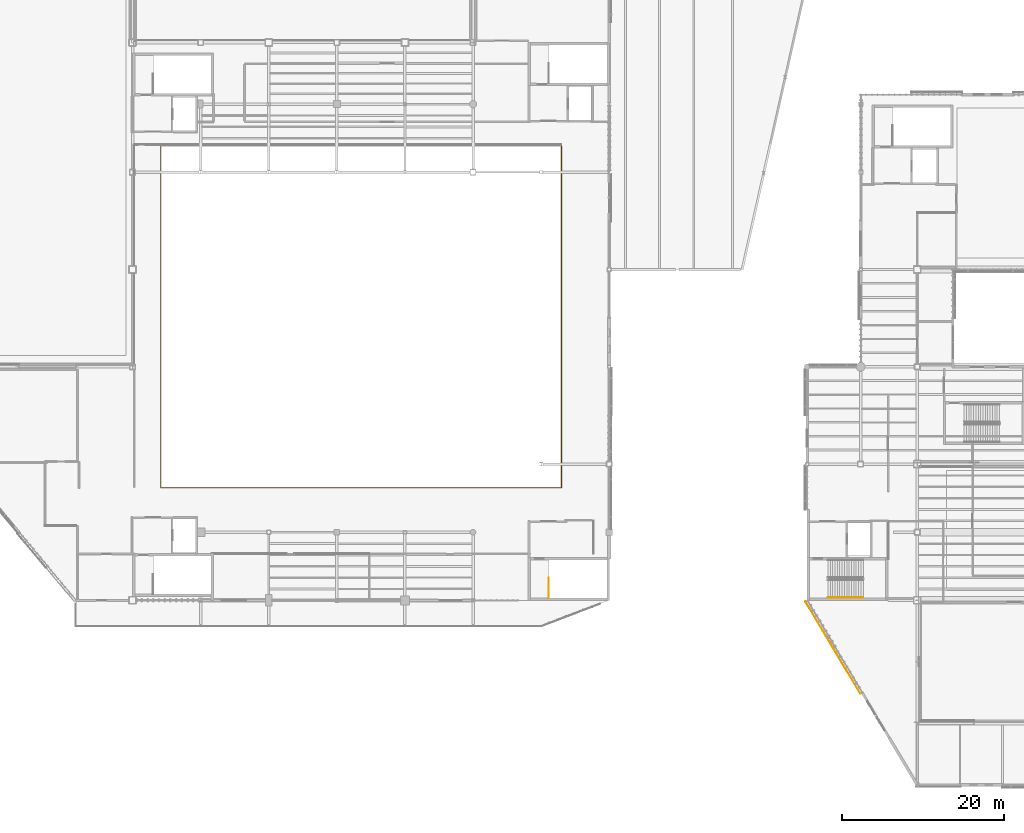
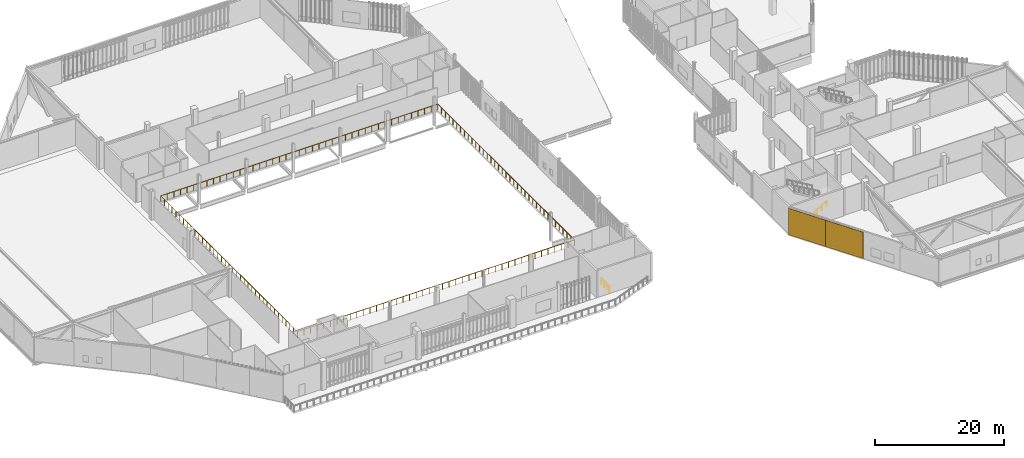
# One storey, part 130 of 135: 3 railings, 2 shading devices.
"""IFC4 building model written with IfcOpenShell, lengths in metres."""

import ifcopenshell
import ifcopenshell.guid

model = None  # the IFC model being written
_history = None  # IfcOwnerHistory: only IFC2X3 demands one
_inside = {}  # id of a spatial element -> (the spatial element, [elements in it])
_under = {}  # id of a project, library or spatial element -> (it, [spatial elements below it])
_declared = {}  # id of a project -> (the project, [libraries it declares])
_typed = {}  # id of a type object -> (the type object, [elements of that type])
_made_of = {}  # id of a material, layer set ... -> (it, [elements and type objects made of it])


def new_model(schema):
    """Start an empty IFC model of exactly this schema.

    Asked for "IFC4X3", IfcOpenShell would pick the latest addendum, in which some entities
    have other attributes; the version numbers below select the first issue.
    IFC2X3 requires an IfcOwnerHistory on every rooted entity: one is made here for all.
    """
    global model, _history
    if schema == "IFC4X3":
        model = ifcopenshell.file(schema_version=(4, 3, 0, 0))
    else:
        model = ifcopenshell.file(schema=schema)
    _inside.clear()
    _under.clear()
    _declared.clear()
    _typed.clear()
    _made_of.clear()
    _history = None
    if model.schema == "IFC2X3":
        org = make("IfcOrganization", Name="unknown")
        user = make(
            "IfcPersonAndOrganization",
            ThePerson=make("IfcPerson", FamilyName="unknown"),
            TheOrganization=org,
        )
        app = make(
            "IfcApplication",
            ApplicationDeveloper=org,
            Version="unknown",
            ApplicationFullName="unknown",
            ApplicationIdentifier="unknown",
        )
        _history = make(
            "IfcOwnerHistory",
            OwningUser=user,
            OwningApplication=app,
            ChangeAction="ADDED",
            CreationDate=0,
        )
    return model


def make(cls, **values):
    """One entity of the class cls with the attributes given. An attribute that is None is left unset."""
    return model.create_entity(
        cls, **{name: value for name, value in values.items() if value is not None}
    )


def rooted(cls, **values):
    """An entity with a GlobalId (a new one), such as an element, a storey or a relation."""
    return make(cls, GlobalId=ifcopenshell.guid.new(), OwnerHistory=_history, **values)


def si_unit(unit_type, name, prefix=None):
    """IfcSIUnit, for example si_unit("LENGTHUNIT", "METRE", prefix="MILLI")."""
    return make("IfcSIUnit", UnitType=unit_type, Prefix=prefix, Name=name)


def assignment(units):
    """IfcUnitAssignment: the units of a project."""
    return None if units is None else make("IfcUnitAssignment", Units=units)


def point(xyz):
    """IfcCartesianPoint."""
    return None if xyz is None else make("IfcCartesianPoint", Coordinates=xyz)


def direction(xyz):
    """IfcDirection."""
    return None if xyz is None else make("IfcDirection", DirectionRatios=xyz)


def frame(location, z_axis=None, x_axis=None):
    """IfcAxis2Placement3D, a coordinate frame: its origin and axes. An axis left out is left unset."""
    return make(
        "IfcAxis2Placement3D",
        Location=point(location),
        Axis=direction(z_axis),
        RefDirection=direction(x_axis),
    )


def frame_2d(location, x_axis=None):
    """IfcAxis2Placement2D, a coordinate frame in the plane: its origin and x axis."""
    return make(
        "IfcAxis2Placement2D", Location=point(location), RefDirection=direction(x_axis)
    )


def origin():
    """The frame at (0, 0, 0) with its axes left unset."""
    return frame((0.0, 0.0, 0.0))


def origin_2d():
    """The frame at (0, 0) in the plane with its x axis left unset."""
    return frame_2d((0.0, 0.0))


def place(relative_to, where):
    """IfcLocalPlacement: puts the frame where relative to a parent placement (None: the world)."""
    return make(
        "IfcLocalPlacement", PlacementRelTo=relative_to, RelativePlacement=where
    )


def context(
    kind, dimensions, precision=None, world=None, true_north=None, identifier=None
):
    """IfcGeometricRepresentationContext, for example the 3D "Model" context."""
    return make(
        "IfcGeometricRepresentationContext",
        ContextIdentifier=identifier,
        ContextType=kind,
        CoordinateSpaceDimension=dimensions,
        Precision=precision,
        WorldCoordinateSystem=world,
        TrueNorth=true_north,
    )


def subcontext(parent, identifier, kind, view, scale=None):
    """IfcGeometricRepresentationSubContext, for example "Body" below "Model"."""
    return make(
        "IfcGeometricRepresentationSubContext",
        ContextIdentifier=identifier,
        ContextType=kind,
        ParentContext=parent,
        TargetScale=scale,
        TargetView=view,
    )


def project(units=None, contexts=None):
    """IfcProject with its units and contexts."""
    return rooted(
        "IfcProject",
        Name="project",
        RepresentationContexts=contexts,
        UnitsInContext=assignment(units),
    )


def spatial(cls, under=None, at=None, **own):
    """A site, building, storey or space (cls), placed at a placement, below another one or the project."""
    s = rooted(cls, ObjectPlacement=at, **own)
    if under is not None:
        _under.setdefault(under.id(), (under, []))[1].append(s)
    return s


def profile(cls, at=None, kind="AREA", **sizes):
    """A parametric profile (cls). Its sizes go by their IFC names, for example OverallWidth=200.0."""
    return make(cls, ProfileType=kind, Position=at, **sizes)


def rectangle(**sizes):
    """IfcRectangleProfileDef."""
    return profile("IfcRectangleProfileDef", **sizes)


def circle(**sizes):
    """IfcCircleProfileDef."""
    return profile("IfcCircleProfileDef", **sizes)


def extrude(swept, where, along, depth):
    """IfcExtrudedAreaSolid: the profile swept, set in the frame where, extruded along a direction by depth."""
    return make(
        "IfcExtrudedAreaSolid",
        SweptArea=swept,
        Position=where,
        ExtrudedDirection=direction(along),
        Depth=depth,
    )


def shape(context_of_items, identifier, shape_type, items):
    """IfcShapeRepresentation: the items that make up one representation, for example the "Body"."""
    return make(
        "IfcShapeRepresentation",
        ContextOfItems=context_of_items,
        RepresentationIdentifier=identifier,
        RepresentationType=shape_type,
        Items=items,
    )


def material(Name=None, Category=None):
    """IfcMaterial."""
    return make("IfcMaterial", Name=Name, Category=Category)


def layer(
    of_material, thickness, ventilated=None, Name=None, Category=None, Priority=None
):
    """IfcMaterialLayer: one layer of a wall or slab, of a material (None: an air gap)."""
    return make(
        "IfcMaterialLayer",
        Material=of_material,
        LayerThickness=thickness,
        IsVentilated=ventilated,
        Name=Name,
        Category=Category,
        Priority=Priority,
    )


def layer_set(layers, Name=None):
    """IfcMaterialLayerSet."""
    return make("IfcMaterialLayerSet", MaterialLayers=layers, LayerSetName=Name)


def made_of(thing, what):
    """Note that an element or type object is made of a material, layer set ...; save() writes the relation."""
    if what is not None:
        _made_of.setdefault(what.id(), (what, []))[1].append(thing)
    return thing


def type_object(cls, material=None, **own):
    """A type object (cls), such as IfcWallType, which elements share."""
    return made_of(rooted(cls, **own), material)


def element(
    cls,
    number,
    at=None,
    inside=None,
    cuts=None,
    type_object=None,
    material=None,
    context=None,
    identifier="Body",
    shape_type=None,
    held_by="IfcProductDefinitionShape",
    body=None,
    shapes=None,
    **own,
):
    """One element of the class cls, such as IfcWall. Its Tag is "e" and its number.

    at: its placement. inside: the storey or other place that contains it. cuts: it is an
    opening in that element (IfcRelVoidsElement). A single representation is given by context,
    identifier, shape_type and body (its items); several are given by shapes. held_by: the class
    of the entity that holds the representations. save() writes the other relations.
    """
    e = rooted(cls, Tag="e%d" % number, ObjectPlacement=at, **own)
    if body is not None:
        shapes = [shape(context, identifier, shape_type, body)]
    if shapes is not None:
        e.Representation = make(held_by, Representations=shapes)
    if inside is not None:
        _inside.setdefault(inside.id(), (inside, []))[1].append(e)
    if cuts is not None:
        rooted(
            "IfcRelVoidsElement", RelatingBuildingElement=cuts, RelatedOpeningElement=e
        )
    if type_object is not None:
        _typed.setdefault(type_object.id(), (type_object, []))[1].append(e)
    return made_of(e, material)


def aggregate(whole, parts):
    """IfcRelAggregates: a whole, such as a stair, and the parts it consists of."""
    return rooted("IfcRelAggregates", RelatingObject=whole, RelatedObjects=parts)


def save(model, path):
    """Write the relations noted so far, then the file.

    IfcRelAggregates (storeys below a building ...), IfcRelContainedInSpatialStructure (elements
    in a storey), IfcRelDefinesByType, IfcRelAssociatesMaterial and IfcRelDeclares: one each for
    every whole, place, type object, material and project.
    """
    for whole, parts in _under.values():
        aggregate(whole, parts)
    for where, things in _inside.values():
        rooted(
            "IfcRelContainedInSpatialStructure",
            RelatedElements=things,
            RelatingStructure=where,
        )
    for kind, things in _typed.values():
        rooted("IfcRelDefinesByType", RelatedObjects=things, RelatingType=kind)
    for what, things in _made_of.values():
        rooted("IfcRelAssociatesMaterial", RelatedObjects=things, RelatingMaterial=what)
    for by, libraries in _declared.values():
        rooted("IfcRelDeclares", RelatingContext=by, RelatedDefinitions=libraries)
    model.write(path)


model = new_model("IFC4")

# Units and contexts
model_context = context("Model", 3, precision=1e-05, world=origin(), true_north=direction((0.0, 1.0)))
body_context = subcontext(model_context, "Body", "Model", "MODEL_VIEW")
ifc_project = project(units=[si_unit("LENGTHUNIT", "METRE"), si_unit("AREAUNIT", "SQUARE_METRE"), si_unit("VOLUMEUNIT", "CUBIC_METRE"), si_unit("PLANEANGLEUNIT", "RADIAN"), si_unit("MASSUNIT", "GRAM", prefix="KILO")], contexts=[model_context])

# Site, building, storey
site_placement = place(None, origin())
site = spatial("IfcSite", under=ifc_project, at=site_placement, CompositionType="ELEMENT")
building_placement = place(site_placement, origin())
building = spatial("IfcBuilding", under=site, at=building_placement, Name="Larkvane Passage Sports Hall", CompositionType="ELEMENT")
storey_placement = place(building_placement, frame((0.0, 0.0, 16.800048828125)))
storey = spatial("IfcBuildingStorey", under=building, at=storey_placement, Name="L03", CompositionType="ELEMENT", Elevation=16.800048828125)

# Railings
ifc_material_1 = material(Name="Laminated toughened glass and stainless steel S355JR", Category="steel")
railing_type_1 = type_object("IfcRailingType", Name="RL-BALUST-1120", PredefinedType="BALUSTRADE", material=ifc_material_1)
railing_1_placement = place(storey_placement, frame((38.280029296875, 36.679931640625, 0.0)))
element("IfcRailing", 1, at=railing_1_placement, inside=storey, type_object=railing_type_1, Name="Atrium void balustrade L03-015", PredefinedType="BALUSTRADE", context=body_context, shape_type="SweptSolid", body=[
    extrude(circle(Radius=0.02392578125, at=origin_2d()), frame((0.001953125, 0.0, 1.09619140625), z_axis=(1.0, 0.0, 0.0), x_axis=(0.0, 1.0, 0.0)), (0.0, 0.0, 1.0), 49.43603515625),
    extrude(circle(Radius=0.02392578125, at=origin_2d()), frame((49.43994140625, 0.001953125, 1.09619140625), z_axis=(0.0, 1.0, 0.0), x_axis=(-1.0, 0.0, 0.0)), (0.0, 0.0, 1.0), 42.236083984375),
    extrude(circle(Radius=0.02392578125, at=origin_2d()), frame((49.43798828125, 42.239990234375, 1.09619140625), z_axis=(-1.0, 0.0, 0.0), x_axis=(0.0, -1.0, 0.0)), (0.0, 0.0, 1.0), 49.43603515625),
    extrude(circle(Radius=0.02392578125, at=origin_2d()), frame((0.0, 42.238037109375, 1.09619140625), z_axis=(0.0, -1.0, 0.0), x_axis=(1.0, 0.0, 0.0)), (0.0, 0.0, 1.0), 42.236083984375),
    extrude(circle(Radius=0.02099609375, at=origin_2d()), origin(), (0.0, 0.0, 1.0), 1.072021484375),
    extrude(circle(Radius=0.02099609375, at=origin_2d()), frame((1.17724609375, 0.0, 0.0)), (0.0, 0.0, 1.0), 1.072021484375),
    extrude(circle(Radius=0.02099609375, at=origin_2d()), frame((2.354248046875, 0.0, 0.0)), (0.0, 0.0, 1.0), 1.072021484375),
    extrude(circle(Radius=0.02099609375, at=origin_2d()), frame((3.531494140625, 0.0, 0.0)), (0.0, 0.0, 1.0), 1.072021484375),
    extrude(circle(Radius=0.02099609375, at=origin_2d()), frame((4.70849609375, 0.0, 0.0)), (0.0, 0.0, 1.0), 1.072021484375),
    extrude(circle(Radius=0.02099609375, at=origin_2d()), frame((5.8857421875, 0.0, 0.0)), (0.0, 0.0, 1.0), 1.072021484375),
    extrude(circle(Radius=0.02099609375, at=origin_2d()), frame((7.062744140625, 0.0, 0.0)), (0.0, 0.0, 1.0), 1.072021484375),
    extrude(circle(Radius=0.02099609375, at=origin_2d()), frame((8.239990234375, 0.0, 0.0)), (0.0, 0.0, 1.0), 1.072021484375),
    extrude(circle(Radius=0.02099609375, at=origin_2d()), frame((9.417236328125, 0.0, 0.0)), (0.0, 0.0, 1.0), 1.072021484375),
    extrude(circle(Radius=0.02099609375, at=origin_2d()), frame((10.59423828125, 0.0, 0.0)), (0.0, 0.0, 1.0), 1.072021484375),
    extrude(circle(Radius=0.02099609375, at=origin_2d()), frame((11.771484375, 0.0, 0.0)), (0.0, 0.0, 1.0), 1.072021484375),
    extrude(circle(Radius=0.02099609375, at=origin_2d()), frame((12.948486328125, 0.0, 0.0)), (0.0, 0.0, 1.0), 1.072021484375),
    extrude(circle(Radius=0.02099609375, at=origin_2d()), frame((14.125732421875, 0.0, 0.0)), (0.0, 0.0, 1.0), 1.072021484375),
    extrude(circle(Radius=0.02099609375, at=origin_2d()), frame((15.302734375, 0.0, 0.0)), (0.0, 0.0, 1.0), 1.072021484375),
    extrude(circle(Radius=0.02099609375, at=origin_2d()), frame((16.47998046875, 0.0, 0.0)), (0.0, 0.0, 1.0), 1.072021484375),
    extrude(circle(Radius=0.02099609375, at=origin_2d()), frame((17.6572265625, 0.0, 0.0)), (0.0, 0.0, 1.0), 1.072021484375),
    extrude(circle(Radius=0.02099609375, at=origin_2d()), frame((18.834228515625, 0.0, 0.0)), (0.0, 0.0, 1.0), 1.072021484375),
    extrude(circle(Radius=0.02099609375, at=origin_2d()), frame((20.011474609375, 0.0, 0.0)), (0.0, 0.0, 1.0), 1.072021484375),
    extrude(circle(Radius=0.02099609375, at=origin_2d()), frame((21.1884765625, 0.0, 0.0)), (0.0, 0.0, 1.0), 1.072021484375),
    extrude(circle(Radius=0.02099609375, at=origin_2d()), frame((22.36572265625, 0.0, 0.0)), (0.0, 0.0, 1.0), 1.072021484375),
    extrude(circle(Radius=0.02099609375, at=origin_2d()), frame((23.542724609375, 0.0, 0.0)), (0.0, 0.0, 1.0), 1.072021484375),
    extrude(circle(Radius=0.02099609375, at=origin_2d()), frame((24.719970703125, 0.0, 0.0)), (0.0, 0.0, 1.0), 1.072021484375),
    extrude(circle(Radius=0.02099609375, at=origin_2d()), frame((25.897216796875, 0.0, 0.0)), (0.0, 0.0, 1.0), 1.072021484375),
    extrude(circle(Radius=0.02099609375, at=origin_2d()), frame((27.07421875, 0.0, 0.0)), (0.0, 0.0, 1.0), 1.072021484375),
    extrude(circle(Radius=0.02099609375, at=origin_2d()), frame((28.25146484375, 0.0, 0.0)), (0.0, 0.0, 1.0), 1.072021484375),
    extrude(circle(Radius=0.02099609375, at=origin_2d()), frame((29.428466796875, 0.0, 0.0)), (0.0, 0.0, 1.0), 1.072021484375),
    extrude(circle(Radius=0.02099609375, at=origin_2d()), frame((30.605712890625, 0.0, 0.0)), (0.0, 0.0, 1.0), 1.072021484375),
    extrude(circle(Radius=0.02099609375, at=origin_2d()), frame((31.78271484375, 0.0, 0.0)), (0.0, 0.0, 1.0), 1.072021484375),
    extrude(circle(Radius=0.02099609375, at=origin_2d()), frame((32.9599609375, 0.0, 0.0)), (0.0, 0.0, 1.0), 1.072021484375),
    extrude(circle(Radius=0.02099609375, at=origin_2d()), frame((34.13720703125, 0.0, 0.0)), (0.0, 0.0, 1.0), 1.072021484375),
    extrude(circle(Radius=0.02099609375, at=origin_2d()), frame((35.314208984375, 0.0, 0.0)), (0.0, 0.0, 1.0), 1.072021484375),
    extrude(circle(Radius=0.02099609375, at=origin_2d()), frame((36.491455078125, 0.0, 0.0)), (0.0, 0.0, 1.0), 1.072021484375),
    extrude(circle(Radius=0.02099609375, at=origin_2d()), frame((37.66845703125, 0.0, 0.0)), (0.0, 0.0, 1.0), 1.072021484375),
    extrude(circle(Radius=0.02099609375, at=origin_2d()), frame((38.845703125, 0.0, 0.0)), (0.0, 0.0, 1.0), 1.072021484375),
    extrude(circle(Radius=0.02099609375, at=origin_2d()), frame((40.022705078125, 0.0, 0.0)), (0.0, 0.0, 1.0), 1.072021484375),
    extrude(circle(Radius=0.02099609375, at=origin_2d()), frame((41.199951171875, 0.0, 0.0)), (0.0, 0.0, 1.0), 1.072021484375),
    extrude(circle(Radius=0.02099609375, at=origin_2d()), frame((42.377197265625, 0.0, 0.0)), (0.0, 0.0, 1.0), 1.072021484375),
    extrude(circle(Radius=0.02099609375, at=origin_2d()), frame((43.55419921875, 0.0, 0.0)), (0.0, 0.0, 1.0), 1.072021484375),
    extrude(circle(Radius=0.02099609375, at=origin_2d()), frame((44.7314453125, 0.0, 0.0)), (0.0, 0.0, 1.0), 1.072021484375),
    extrude(circle(Radius=0.02099609375, at=origin_2d()), frame((45.908447265625, 0.0, 0.0)), (0.0, 0.0, 1.0), 1.072021484375),
    extrude(circle(Radius=0.02099609375, at=origin_2d()), frame((47.085693359375, 0.0, 0.0)), (0.0, 0.0, 1.0), 1.072021484375),
    extrude(circle(Radius=0.02099609375, at=origin_2d()), frame((48.2626953125, 0.0, 0.0)), (0.0, 0.0, 1.0), 1.072021484375),
    extrude(circle(Radius=0.02099609375, at=origin_2d()), frame((49.43994140625, 0.0, 0.0)), (0.0, 0.0, 1.0), 1.072021484375),
    extrude(circle(Radius=0.02099609375, at=origin_2d()), frame((49.43994140625, 1.17333984375, 0.0)), (0.0, 0.0, 1.0), 1.072021484375),
    extrude(circle(Radius=0.02099609375, at=origin_2d()), frame((49.43994140625, 2.3466796875, 0.0)), (0.0, 0.0, 1.0), 1.072021484375),
    extrude(circle(Radius=0.02099609375, at=origin_2d()), frame((49.43994140625, 3.52001953125, 0.0)), (0.0, 0.0, 1.0), 1.072021484375),
    extrude(circle(Radius=0.02099609375, at=origin_2d()), frame((49.43994140625, 4.693359375, 0.0)), (0.0, 0.0, 1.0), 1.072021484375),
    extrude(circle(Radius=0.02099609375, at=origin_2d()), frame((49.43994140625, 5.86669921875, 0.0)), (0.0, 0.0, 1.0), 1.072021484375),
    extrude(circle(Radius=0.02099609375, at=origin_2d()), frame((49.43994140625, 7.0400390625, 0.0)), (0.0, 0.0, 1.0), 1.072021484375),
    extrude(circle(Radius=0.02099609375, at=origin_2d()), frame((49.43994140625, 8.21337890625, 0.0)), (0.0, 0.0, 1.0), 1.072021484375),
    extrude(circle(Radius=0.02099609375, at=origin_2d()), frame((49.43994140625, 9.38671875, 0.0)), (0.0, 0.0, 1.0), 1.072021484375),
    extrude(circle(Radius=0.02099609375, at=origin_2d()), frame((49.43994140625, 10.56005859375, 0.0)), (0.0, 0.0, 1.0), 1.072021484375),
    extrude(circle(Radius=0.02099609375, at=origin_2d()), frame((49.43994140625, 11.7333984375, 0.0)), (0.0, 0.0, 1.0), 1.072021484375),
    extrude(circle(Radius=0.02099609375, at=origin_2d()), frame((49.43994140625, 12.90673828125, 0.0)), (0.0, 0.0, 1.0), 1.072021484375),
    extrude(circle(Radius=0.02099609375, at=origin_2d()), frame((49.43994140625, 14.080078125, 0.0)), (0.0, 0.0, 1.0), 1.072021484375),
    extrude(circle(Radius=0.02099609375, at=origin_2d()), frame((49.43994140625, 15.25341796875, 0.0)), (0.0, 0.0, 1.0), 1.072021484375),
    extrude(circle(Radius=0.02099609375, at=origin_2d()), frame((49.43994140625, 16.4267578125, 0.0)), (0.0, 0.0, 1.0), 1.072021484375),
    extrude(circle(Radius=0.02099609375, at=origin_2d()), frame((49.43994140625, 17.60009765625, 0.0)), (0.0, 0.0, 1.0), 1.072021484375),
    extrude(circle(Radius=0.02099609375, at=origin_2d()), frame((49.43994140625, 18.7734375, 0.0)), (0.0, 0.0, 1.0), 1.072021484375),
    extrude(circle(Radius=0.02099609375, at=origin_2d()), frame((49.43994140625, 19.94677734375, 0.0)), (0.0, 0.0, 1.0), 1.072021484375),
    extrude(circle(Radius=0.02099609375, at=origin_2d()), frame((49.43994140625, 21.1201171875, 0.0)), (0.0, 0.0, 1.0), 1.072021484375),
    extrude(circle(Radius=0.02099609375, at=origin_2d()), frame((49.43994140625, 22.293212890625, 0.0)), (0.0, 0.0, 1.0), 1.072021484375),
    extrude(circle(Radius=0.02099609375, at=origin_2d()), frame((49.43994140625, 23.466552734375, 0.0)), (0.0, 0.0, 1.0), 1.072021484375),
    extrude(circle(Radius=0.02099609375, at=origin_2d()), frame((49.43994140625, 24.639892578125, 0.0)), (0.0, 0.0, 1.0), 1.072021484375),
    extrude(circle(Radius=0.02099609375, at=origin_2d()), frame((49.43994140625, 25.813232421875, 0.0)), (0.0, 0.0, 1.0), 1.072021484375),
    extrude(circle(Radius=0.02099609375, at=origin_2d()), frame((49.43994140625, 26.986572265625, 0.0)), (0.0, 0.0, 1.0), 1.072021484375),
    extrude(circle(Radius=0.02099609375, at=origin_2d()), frame((49.43994140625, 28.159912109375, 0.0)), (0.0, 0.0, 1.0), 1.072021484375),
    extrude(circle(Radius=0.02099609375, at=origin_2d()), frame((49.43994140625, 29.333251953125, 0.0)), (0.0, 0.0, 1.0), 1.072021484375),
    extrude(circle(Radius=0.02099609375, at=origin_2d()), frame((49.43994140625, 30.506591796875, 0.0)), (0.0, 0.0, 1.0), 1.072021484375),
    extrude(circle(Radius=0.02099609375, at=origin_2d()), frame((49.43994140625, 31.679931640625, 0.0)), (0.0, 0.0, 1.0), 1.072021484375),
    extrude(circle(Radius=0.02099609375, at=origin_2d()), frame((49.43994140625, 32.853271484375, 0.0)), (0.0, 0.0, 1.0), 1.072021484375),
    extrude(circle(Radius=0.02099609375, at=origin_2d()), frame((49.43994140625, 34.026611328125, 0.0)), (0.0, 0.0, 1.0), 1.072021484375),
    extrude(circle(Radius=0.02099609375, at=origin_2d()), frame((49.43994140625, 35.199951171875, 0.0)), (0.0, 0.0, 1.0), 1.072021484375),
    extrude(circle(Radius=0.02099609375, at=origin_2d()), frame((49.43994140625, 36.373291015625, 0.0)), (0.0, 0.0, 1.0), 1.072021484375),
    extrude(circle(Radius=0.02099609375, at=origin_2d()), frame((49.43994140625, 37.546630859375, 0.0)), (0.0, 0.0, 1.0), 1.072021484375),
    extrude(circle(Radius=0.02099609375, at=origin_2d()), frame((49.43994140625, 38.719970703125, 0.0)), (0.0, 0.0, 1.0), 1.072021484375),
    extrude(circle(Radius=0.02099609375, at=origin_2d()), frame((49.43994140625, 39.893310546875, 0.0)), (0.0, 0.0, 1.0), 1.072021484375),
    extrude(circle(Radius=0.02099609375, at=origin_2d()), frame((49.43994140625, 41.066650390625, 0.0)), (0.0, 0.0, 1.0), 1.072021484375),
    extrude(circle(Radius=0.02099609375, at=origin_2d()), frame((49.43994140625, 42.239990234375, 0.0)), (0.0, 0.0, 1.0), 1.072021484375),
    extrude(circle(Radius=0.02099609375, at=origin_2d()), frame((48.2626953125, 42.239990234375, 0.0)), (0.0, 0.0, 1.0), 1.072021484375),
    extrude(circle(Radius=0.02099609375, at=origin_2d()), frame((47.085693359375, 42.239990234375, 0.0)), (0.0, 0.0, 1.0), 1.072021484375),
    extrude(circle(Radius=0.02099609375, at=origin_2d()), frame((45.908447265625, 42.239990234375, 0.0)), (0.0, 0.0, 1.0), 1.072021484375),
    extrude(circle(Radius=0.02099609375, at=origin_2d()), frame((44.7314453125, 42.239990234375, 0.0)), (0.0, 0.0, 1.0), 1.072021484375),
    extrude(circle(Radius=0.02099609375, at=origin_2d()), frame((43.55419921875, 42.239990234375, 0.0)), (0.0, 0.0, 1.0), 1.072021484375),
    extrude(circle(Radius=0.02099609375, at=origin_2d()), frame((42.377197265625, 42.239990234375, 0.0)), (0.0, 0.0, 1.0), 1.072021484375),
    extrude(circle(Radius=0.02099609375, at=origin_2d()), frame((41.199951171875, 42.239990234375, 0.0)), (0.0, 0.0, 1.0), 1.072021484375),
    extrude(circle(Radius=0.02099609375, at=origin_2d()), frame((40.022705078125, 42.239990234375, 0.0)), (0.0, 0.0, 1.0), 1.072021484375),
    extrude(circle(Radius=0.02099609375, at=origin_2d()), frame((38.845703125, 42.239990234375, 0.0)), (0.0, 0.0, 1.0), 1.072021484375),
    extrude(circle(Radius=0.02099609375, at=origin_2d()), frame((37.66845703125, 42.239990234375, 0.0)), (0.0, 0.0, 1.0), 1.072021484375),
    extrude(circle(Radius=0.02099609375, at=origin_2d()), frame((36.491455078125, 42.239990234375, 0.0)), (0.0, 0.0, 1.0), 1.072021484375),
    extrude(circle(Radius=0.02099609375, at=origin_2d()), frame((35.314208984375, 42.239990234375, 0.0)), (0.0, 0.0, 1.0), 1.072021484375),
    extrude(circle(Radius=0.02099609375, at=origin_2d()), frame((34.13720703125, 42.239990234375, 0.0)), (0.0, 0.0, 1.0), 1.072021484375),
    extrude(circle(Radius=0.02099609375, at=origin_2d()), frame((32.9599609375, 42.239990234375, 0.0)), (0.0, 0.0, 1.0), 1.072021484375),
    extrude(circle(Radius=0.02099609375, at=origin_2d()), frame((31.78271484375, 42.239990234375, 0.0)), (0.0, 0.0, 1.0), 1.072021484375),
    extrude(circle(Radius=0.02099609375, at=origin_2d()), frame((30.605712890625, 42.239990234375, 0.0)), (0.0, 0.0, 1.0), 1.072021484375),
    extrude(circle(Radius=0.02099609375, at=origin_2d()), frame((29.428466796875, 42.239990234375, 0.0)), (0.0, 0.0, 1.0), 1.072021484375),
    extrude(circle(Radius=0.02099609375, at=origin_2d()), frame((28.25146484375, 42.239990234375, 0.0)), (0.0, 0.0, 1.0), 1.072021484375),
    extrude(circle(Radius=0.02099609375, at=origin_2d()), frame((27.07421875, 42.239990234375, 0.0)), (0.0, 0.0, 1.0), 1.072021484375),
    extrude(circle(Radius=0.02099609375, at=origin_2d()), frame((25.897216796875, 42.239990234375, 0.0)), (0.0, 0.0, 1.0), 1.072021484375),
    extrude(circle(Radius=0.02099609375, at=origin_2d()), frame((24.719970703125, 42.239990234375, 0.0)), (0.0, 0.0, 1.0), 1.072021484375),
    extrude(circle(Radius=0.02099609375, at=origin_2d()), frame((23.542724609375, 42.239990234375, 0.0)), (0.0, 0.0, 1.0), 1.072021484375),
    extrude(circle(Radius=0.02099609375, at=origin_2d()), frame((22.36572265625, 42.239990234375, 0.0)), (0.0, 0.0, 1.0), 1.072021484375),
    extrude(circle(Radius=0.02099609375, at=origin_2d()), frame((21.1884765625, 42.239990234375, 0.0)), (0.0, 0.0, 1.0), 1.072021484375),
    extrude(circle(Radius=0.02099609375, at=origin_2d()), frame((20.011474609375, 42.239990234375, 0.0)), (0.0, 0.0, 1.0), 1.072021484375),
    extrude(circle(Radius=0.02099609375, at=origin_2d()), frame((18.834228515625, 42.239990234375, 0.0)), (0.0, 0.0, 1.0), 1.072021484375),
    extrude(circle(Radius=0.02099609375, at=origin_2d()), frame((17.6572265625, 42.239990234375, 0.0)), (0.0, 0.0, 1.0), 1.072021484375),
    extrude(circle(Radius=0.02099609375, at=origin_2d()), frame((16.47998046875, 42.239990234375, 0.0)), (0.0, 0.0, 1.0), 1.072021484375),
    extrude(circle(Radius=0.02099609375, at=origin_2d()), frame((15.302734375, 42.239990234375, 0.0)), (0.0, 0.0, 1.0), 1.072021484375),
    extrude(circle(Radius=0.02099609375, at=origin_2d()), frame((14.125732421875, 42.239990234375, 0.0)), (0.0, 0.0, 1.0), 1.072021484375),
    extrude(circle(Radius=0.02099609375, at=origin_2d()), frame((12.948486328125, 42.239990234375, 0.0)), (0.0, 0.0, 1.0), 1.072021484375),
    extrude(circle(Radius=0.02099609375, at=origin_2d()), frame((11.771484375, 42.239990234375, 0.0)), (0.0, 0.0, 1.0), 1.072021484375),
    extrude(circle(Radius=0.02099609375, at=origin_2d()), frame((10.59423828125, 42.239990234375, 0.0)), (0.0, 0.0, 1.0), 1.072021484375),
    extrude(circle(Radius=0.02099609375, at=origin_2d()), frame((9.417236328125, 42.239990234375, 0.0)), (0.0, 0.0, 1.0), 1.072021484375),
    extrude(circle(Radius=0.02099609375, at=origin_2d()), frame((8.239990234375, 42.239990234375, 0.0)), (0.0, 0.0, 1.0), 1.072021484375),
    extrude(circle(Radius=0.02099609375, at=origin_2d()), frame((7.062744140625, 42.239990234375, 0.0)), (0.0, 0.0, 1.0), 1.072021484375),
    extrude(circle(Radius=0.02099609375, at=origin_2d()), frame((5.8857421875, 42.239990234375, 0.0)), (0.0, 0.0, 1.0), 1.072021484375),
    extrude(circle(Radius=0.02099609375, at=origin_2d()), frame((4.70849609375, 42.239990234375, 0.0)), (0.0, 0.0, 1.0), 1.072021484375),
    extrude(circle(Radius=0.02099609375, at=origin_2d()), frame((3.531494140625, 42.239990234375, 0.0)), (0.0, 0.0, 1.0), 1.072021484375),
    extrude(circle(Radius=0.02099609375, at=origin_2d()), frame((2.354248046875, 42.239990234375, 0.0)), (0.0, 0.0, 1.0), 1.072021484375),
    extrude(circle(Radius=0.02099609375, at=origin_2d()), frame((1.17724609375, 42.239990234375, 0.0)), (0.0, 0.0, 1.0), 1.072021484375),
    extrude(circle(Radius=0.02099609375, at=origin_2d()), frame((0.0, 42.239990234375, 0.0)), (0.0, 0.0, 1.0), 1.072021484375),
    extrude(circle(Radius=0.02099609375, at=origin_2d()), frame((0.0, 41.066650390625, 0.0)), (0.0, 0.0, 1.0), 1.072021484375),
    extrude(circle(Radius=0.02099609375, at=origin_2d()), frame((0.0, 39.893310546875, 0.0)), (0.0, 0.0, 1.0), 1.072021484375),
    extrude(circle(Radius=0.02099609375, at=origin_2d()), frame((0.0, 38.719970703125, 0.0)), (0.0, 0.0, 1.0), 1.072021484375),
    extrude(circle(Radius=0.02099609375, at=origin_2d()), frame((0.0, 37.546630859375, 0.0)), (0.0, 0.0, 1.0), 1.072021484375),
    extrude(circle(Radius=0.02099609375, at=origin_2d()), frame((0.0, 36.373291015625, 0.0)), (0.0, 0.0, 1.0), 1.072021484375),
    extrude(circle(Radius=0.02099609375, at=origin_2d()), frame((0.0, 35.199951171875, 0.0)), (0.0, 0.0, 1.0), 1.072021484375),
    extrude(circle(Radius=0.02099609375, at=origin_2d()), frame((0.0, 34.026611328125, 0.0)), (0.0, 0.0, 1.0), 1.072021484375),
    extrude(circle(Radius=0.02099609375, at=origin_2d()), frame((0.0, 32.853271484375, 0.0)), (0.0, 0.0, 1.0), 1.072021484375),
    extrude(circle(Radius=0.02099609375, at=origin_2d()), frame((0.0, 31.679931640625, 0.0)), (0.0, 0.0, 1.0), 1.072021484375),
    extrude(circle(Radius=0.02099609375, at=origin_2d()), frame((0.0, 30.506591796875, 0.0)), (0.0, 0.0, 1.0), 1.072021484375),
    extrude(circle(Radius=0.02099609375, at=origin_2d()), frame((0.0, 29.333251953125, 0.0)), (0.0, 0.0, 1.0), 1.072021484375),
    extrude(circle(Radius=0.02099609375, at=origin_2d()), frame((0.0, 28.159912109375, 0.0)), (0.0, 0.0, 1.0), 1.072021484375),
    extrude(circle(Radius=0.02099609375, at=origin_2d()), frame((0.0, 26.986572265625, 0.0)), (0.0, 0.0, 1.0), 1.072021484375),
    extrude(circle(Radius=0.02099609375, at=origin_2d()), frame((0.0, 25.813232421875, 0.0)), (0.0, 0.0, 1.0), 1.072021484375),
    extrude(circle(Radius=0.02099609375, at=origin_2d()), frame((0.0, 24.639892578125, 0.0)), (0.0, 0.0, 1.0), 1.072021484375),
    extrude(circle(Radius=0.02099609375, at=origin_2d()), frame((0.0, 23.466552734375, 0.0)), (0.0, 0.0, 1.0), 1.072021484375),
    extrude(circle(Radius=0.02099609375, at=origin_2d()), frame((0.0, 22.293212890625, 0.0)), (0.0, 0.0, 1.0), 1.072021484375),
    extrude(circle(Radius=0.02099609375, at=origin_2d()), frame((0.0, 21.1201171875, 0.0)), (0.0, 0.0, 1.0), 1.072021484375),
    extrude(circle(Radius=0.02099609375, at=origin_2d()), frame((0.0, 19.94677734375, 0.0)), (0.0, 0.0, 1.0), 1.072021484375),
    extrude(circle(Radius=0.02099609375, at=origin_2d()), frame((0.0, 18.7734375, 0.0)), (0.0, 0.0, 1.0), 1.072021484375),
    extrude(circle(Radius=0.02099609375, at=origin_2d()), frame((0.0, 17.60009765625, 0.0)), (0.0, 0.0, 1.0), 1.072021484375),
    extrude(circle(Radius=0.02099609375, at=origin_2d()), frame((0.0, 16.4267578125, 0.0)), (0.0, 0.0, 1.0), 1.072021484375),
    extrude(circle(Radius=0.02099609375, at=origin_2d()), frame((0.0, 15.25341796875, 0.0)), (0.0, 0.0, 1.0), 1.072021484375),
    extrude(circle(Radius=0.02099609375, at=origin_2d()), frame((0.0, 14.080078125, 0.0)), (0.0, 0.0, 1.0), 1.072021484375),
    extrude(circle(Radius=0.02099609375, at=origin_2d()), frame((0.0, 12.90673828125, 0.0)), (0.0, 0.0, 1.0), 1.072021484375),
    extrude(circle(Radius=0.02099609375, at=origin_2d()), frame((0.0, 11.7333984375, 0.0)), (0.0, 0.0, 1.0), 1.072021484375),
    extrude(circle(Radius=0.02099609375, at=origin_2d()), frame((0.0, 10.56005859375, 0.0)), (0.0, 0.0, 1.0), 1.072021484375),
    extrude(circle(Radius=0.02099609375, at=origin_2d()), frame((0.0, 9.38671875, 0.0)), (0.0, 0.0, 1.0), 1.072021484375),
    extrude(circle(Radius=0.02099609375, at=origin_2d()), frame((0.0, 8.21337890625, 0.0)), (0.0, 0.0, 1.0), 1.072021484375),
    extrude(circle(Radius=0.02099609375, at=origin_2d()), frame((0.0, 7.0400390625, 0.0)), (0.0, 0.0, 1.0), 1.072021484375),
    extrude(circle(Radius=0.02099609375, at=origin_2d()), frame((0.0, 5.86669921875, 0.0)), (0.0, 0.0, 1.0), 1.072021484375),
    extrude(circle(Radius=0.02099609375, at=origin_2d()), frame((0.0, 4.693359375, 0.0)), (0.0, 0.0, 1.0), 1.072021484375),
    extrude(circle(Radius=0.02099609375, at=origin_2d()), frame((0.0, 3.52001953125, 0.0)), (0.0, 0.0, 1.0), 1.072021484375),
    extrude(circle(Radius=0.02099609375, at=origin_2d()), frame((0.0, 2.3466796875, 0.0)), (0.0, 0.0, 1.0), 1.072021484375),
    extrude(circle(Radius=0.02099609375, at=origin_2d()), frame((0.0, 1.17333984375, 0.0)), (0.0, 0.0, 1.0), 1.072021484375),
])
ifc_material_2 = material(Name="Steel S355JR", Category="steel")
railing_type_2 = type_object("IfcRailingType", Name="RL-GUARD-1120", PredefinedType="GUARDRAIL", material=ifc_material_2)
railing_2_placement = place(storey_placement, frame((86.1298828125, 23.10009765625, 0.0)))
element("IfcRailing", 2, at=railing_2_placement, inside=storey, type_object=railing_type_2, Name="L03 ST-04 top well guard 1", PredefinedType="GUARDRAIL", context=body_context, shape_type="SweptSolid", body=[
    extrude(circle(Radius=0.02392578125, at=origin_2d()), frame((0.0, 0.001953125, 1.09619140625), z_axis=(0.0, 1.0, 0.0), x_axis=(-1.0, 0.0, 0.0)), (0.0, 0.0, 1.0), 2.446044921875),
    extrude(circle(Radius=0.02099609375, at=origin_2d()), origin(), (0.0, 0.0, 1.0), 1.072021484375),
    extrude(circle(Radius=0.02099609375, at=origin_2d()), frame((0.0, 0.816650390625, 0.0)), (0.0, 0.0, 1.0), 1.072021484375),
    extrude(circle(Radius=0.02099609375, at=origin_2d()), frame((0.0, 1.63330078125, 0.0)), (0.0, 0.0, 1.0), 1.072021484375),
    extrude(circle(Radius=0.02099609375, at=origin_2d()), frame((0.0, 2.449951171875, 0.0)), (0.0, 0.0, 1.0), 1.072021484375),
])
ifc_material_3 = material(Name="Stainless steel S355JR", Category="steel")
railing_type_3 = type_object("IfcRailingType", Name="RL-HAND-920", PredefinedType="HANDRAIL", material=ifc_material_3)
railing_3_placement = place(storey_placement, frame((120.580078125, 23.14990234375, 0.168701171875)))
element("IfcRailing", 3, at=railing_3_placement, inside=storey, type_object=railing_type_3, Name="L03 ST-05 stair handrail 1", PredefinedType="HANDRAIL", context=body_context, shape_type="SweptSolid", body=[
    extrude(circle(Radius=0.02392578125, at=origin_2d()), frame((0.001708984375, 0.0, 0.876953125), z_axis=(0.864311530196, 0.0, 0.502956835891), x_axis=(0.0, 1.0, 0.0)), (0.0, 0.0, 1.0), 5.02880859375),
    extrude(circle(Radius=0.02099609375, at=origin_2d()), origin(), (0.0, 0.0, 1.0), 0.851806640625),
    extrude(circle(Radius=0.02099609375, at=origin_2d()), frame((0.869873046875, 0.0, 0.50634765625)), (0.0, 0.0, 1.0), 0.851806640625),
    extrude(circle(Radius=0.02099609375, at=origin_2d()), frame((1.739990234375, 0.0, 1.012451171875)), (0.0, 0.0, 1.0), 0.851806640625),
    extrude(circle(Radius=0.02099609375, at=origin_2d()), frame((2.60986328125, 0.0, 1.518798828125)), (0.0, 0.0, 1.0), 0.851806640625),
    extrude(circle(Radius=0.02099609375, at=origin_2d()), frame((3.47998046875, 0.0, 2.02490234375)), (0.0, 0.0, 1.0), 0.851806640625),
    extrude(circle(Radius=0.02099609375, at=origin_2d()), frame((4.349853515625, 0.0, 2.53125)), (0.0, 0.0, 1.0), 0.851806640625),
])

# Shading devices
ifc_material_4 = material(Name="Perforated anodised aluminium 5052-H32", Category="aluminium")
ifc_layer = layer(ifc_material_4, 0.06005859375)
ifc_layer_set = layer_set([ifc_layer], Name="Perforated anodised aluminium 5052-H32")
shading_device_type = type_object("IfcShadingDeviceType", Name="SHD-VEIL-PERF", PredefinedType="SHUTTER", material=ifc_layer_set)
shading_device_1_placement = place(storey_placement, frame((122.893798828125, 14.126953125, 0.06005859375), z_axis=(0.0, 0.0, 1.0), x_axis=(-0.512278301212, 0.858819504964, 0.0)))
element("IfcShadingDevice", 4, at=shading_device_1_placement, inside=storey, type_object=shading_device_type, Name="Solar veil screen L03-085", PredefinedType="SHUTTER", context=body_context, shape_type="SweptSolid", body=[
    extrude(rectangle(XDim=6.636962890625, YDim=0.06005859375, at=origin_2d()), origin(), (0.0, 0.0, 1.0), 4.97998046875),
])
shading_device_2_placement = place(storey_placement, frame((119.496826171875, 19.822021484375, 0.06005859375), z_axis=(0.0, 0.0, 1.0), x_axis=(-0.512278301212, 0.858819504964, 0.0)))
element("IfcShadingDevice", 5, at=shading_device_2_placement, inside=storey, type_object=shading_device_type, Name="Solar veil screen L03-086", PredefinedType="SHUTTER", context=body_context, shape_type="SweptSolid", body=[
    extrude(rectangle(XDim=6.62548828125, YDim=0.06005859375, at=origin_2d()), origin(), (0.0, 0.0, 1.0), 4.97998046875),
])

save(model, "model.ifc")
